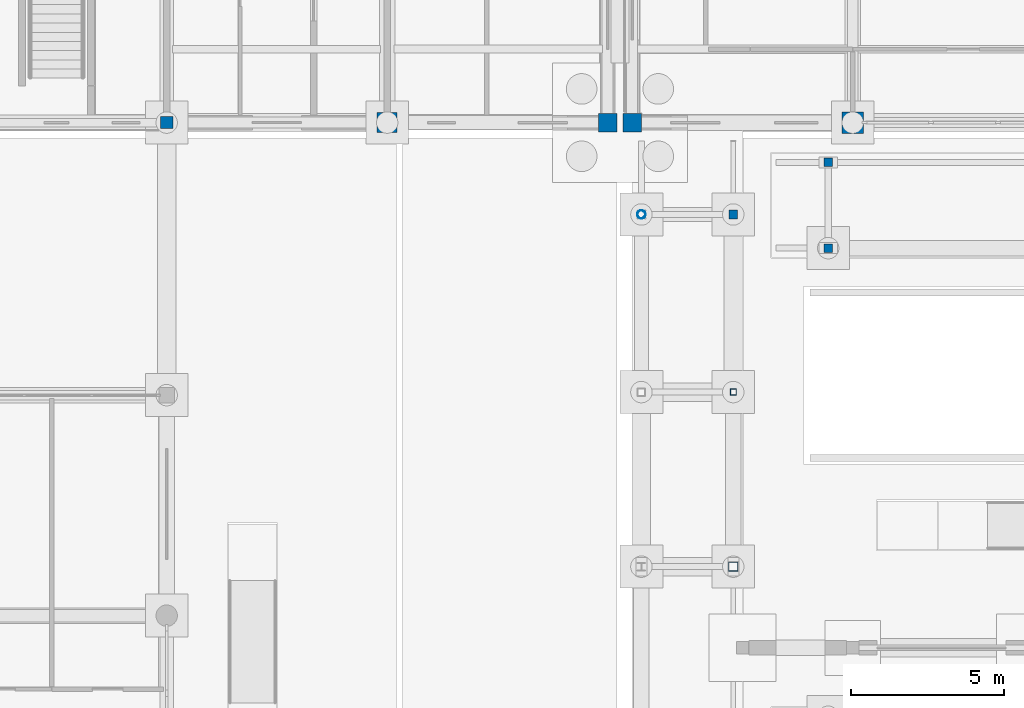
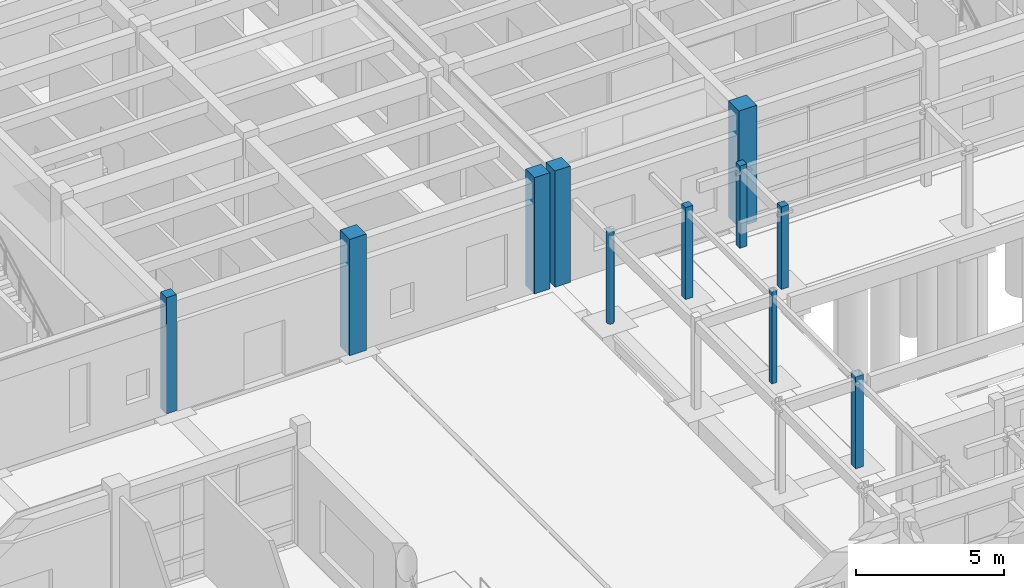
# One storey, part 18 of 143: 11 columns.
"""IFC4 building model written with IfcOpenShell, lengths in metres."""

from ifc_helpers import new_model, si_unit, direction, frame, origin, origin_2d, place, context, subcontext, project, spatial, rectangle, hollow_rectangle, hollow_circle, extrude, material, material_profile, profile_set, type_object, element, save


model = new_model("IFC4")

# Units and contexts
model_context = context("Model", 3, precision=1e-05, world=origin(), true_north=direction((0.0, 1.0)))
body_context = subcontext(model_context, "Body", "Model", "MODEL_VIEW")
ifc_project = project(units=[si_unit("LENGTHUNIT", "METRE"), si_unit("AREAUNIT", "SQUARE_METRE"), si_unit("VOLUMEUNIT", "CUBIC_METRE"), si_unit("PLANEANGLEUNIT", "RADIAN"), si_unit("MASSUNIT", "GRAM", prefix="KILO")], contexts=[model_context])

# Site, building, storey
site_placement = place(None, origin())
site = spatial("IfcSite", under=ifc_project, at=site_placement, CompositionType="ELEMENT")
building_placement = place(site_placement, origin())
building = spatial("IfcBuilding", under=site, at=building_placement, Name="Steenspoor Specialist Clinic", CompositionType="ELEMENT")
storey_placement = place(building_placement, origin())
storey = spatial("IfcBuildingStorey", under=building, at=storey_placement, Name="L00", CompositionType="ELEMENT", Elevation=0.0)

# Columns
ifc_material_1 = material(Name="Glulam GL28h", Category="wood")
ifc_material_profile_1 = material_profile(ifc_material_1, rectangle(XDim=0.280029296875, YDim=0.280029296875, at=origin_2d()), Name="GL28H-280X280")
ifc_profile_set_1 = profile_set([ifc_material_profile_1], Name="Glulam GL28h")
column_type_1 = type_object("IfcColumnType", Name="COL-GL-280", PredefinedType="COLUMN", material=ifc_profile_set_1)
column_1_placement = place(storey_placement, frame((55.699951171875, 62.14990234375, 0.0), z_axis=(0.0, 0.0, 1.0), x_axis=(1.0, 0.0, 0.0)))
element("IfcColumn", 1, at=column_1_placement, inside=storey, type_object=column_type_1, Name="Walkway Colonnade Post COL-L00-0851", PredefinedType="COLUMN", context=body_context, shape_type="SweptSolid", body=[
    extrude(rectangle(XDim=0.280029296875, YDim=0.280029296875, at=origin_2d()), origin(), (0.0, 0.0, 1.0), 3.800048828125),
])
for number, where, z_axis, x_axis, name in (
    (2, (58.800048828125, 61.050048828125, 0.0), (0.0, 0.0, 1.0), (1.0, 0.0, 0.0), "Walkway Colonnade Post COL-L00-0864"),
    (3, (58.800048828125, 63.85009765625, 0.0), (0.0, 0.0, 1.0), (1.0, 0.0, 0.0), "Walkway Colonnade Post COL-L00-0865"),
):
    element("IfcColumn", number, at=place(storey_placement, frame(where, z_axis=z_axis, x_axis=x_axis)), inside=storey, type_object=column_type_1, Name=name, PredefinedType="COLUMN", context=body_context, shape_type="SweptSolid", body=[
        extrude(rectangle(XDim=0.280029296875, YDim=0.280029296875, at=origin_2d()), origin(), (0.0, 0.0, 1.0), 3.39990234375),
    ])
ifc_material_2 = material(Name="Concrete C40/50", Category="concrete")
ifc_material_profile_2 = material_profile(ifc_material_2, rectangle(XDim=0.39990234375, YDim=0.39990234375, at=origin_2d()), Name="RC-COL-400X400")
ifc_profile_set_2 = profile_set([ifc_material_profile_2], Name="Concrete C40/50")
column_type_2 = type_object("IfcColumnType", Name="COL-RC-400", PredefinedType="COLUMN", material=ifc_profile_set_2)
column_2_placement = place(storey_placement, frame((37.199951171875, 65.14990234375, 0.0), z_axis=(0.0, 0.0, 1.0), x_axis=(1.0, 0.0, 0.0)))
element("IfcColumn", 4, at=column_2_placement, inside=storey, type_object=column_type_2, Name="Column COL-L00-0562", PredefinedType="COLUMN", context=body_context, shape_type="SweptSolid", body=[
    extrude(rectangle(XDim=0.39990234375, YDim=0.39990234375, at=origin_2d()), origin(), (0.0, 0.0, 1.0), 4.800048828125),
])
ifc_material_profile_3 = material_profile(ifc_material_2, rectangle(XDim=0.60009765625, YDim=0.60009765625, at=origin_2d()), Name="RC-COL-600X600")
ifc_profile_set_3 = profile_set([ifc_material_profile_3], Name="Concrete C40/50")
column_type_3 = type_object("IfcColumnType", Name="COL-RC-600", PredefinedType="COLUMN", material=ifc_profile_set_3)
for number, where, z_axis, x_axis, name in (
    (5, (52.39990234375, 65.14990234375, 0.0), (0.0, 0.0, 1.0), (1.0, 0.0, 0.0), "Column COL-L00-0180"),
    (6, (51.60009765625, 65.14990234375, 0.0), (0.0, 0.0, 1.0), (1.0, 0.0, 0.0), "Column COL-L00-0616"),
):
    element("IfcColumn", number, at=place(storey_placement, frame(where, z_axis=z_axis, x_axis=x_axis)), inside=storey, type_object=column_type_3, Name=name, PredefinedType="COLUMN", context=body_context, shape_type="SweptSolid", body=[
        extrude(rectangle(XDim=0.60009765625, YDim=0.60009765625, at=origin_2d()), origin(), (0.0, 0.0, 1.0), 4.800048828125),
    ])
ifc_material_profile_4 = material_profile(ifc_material_2, rectangle(XDim=0.64990234375, YDim=0.64990234375, at=origin_2d()), Name="RC-COL-650X650")
ifc_profile_set_4 = profile_set([ifc_material_profile_4], Name="Concrete C40/50")
column_type_4 = type_object("IfcColumnType", Name="COL-RC-650", PredefinedType="COLUMN", material=ifc_profile_set_4)
column_3_placement = place(storey_placement, frame((44.39990234375, 65.14990234375, 0.0), z_axis=(0.0, 0.0, 1.0), x_axis=(1.0, 0.0, 0.0)))
element("IfcColumn", 7, at=column_3_placement, inside=storey, type_object=column_type_4, Name="Column COL-L00-0589", PredefinedType="COLUMN", context=body_context, shape_type="SweptSolid", body=[
    extrude(rectangle(XDim=0.64990234375, YDim=0.64990234375, at=origin_2d()), origin(), (0.0, 0.0, 1.0), 4.800048828125),
])
ifc_material_profile_5 = material_profile(ifc_material_2, rectangle(XDim=0.699951171875, YDim=0.699951171875, at=origin_2d()), Name="RC-COL-700X700")
ifc_profile_set_5 = profile_set([ifc_material_profile_5], Name="Concrete C40/50")
column_type_5 = type_object("IfcColumnType", Name="COL-RC-700", PredefinedType="COLUMN", material=ifc_profile_set_5)
column_4_placement = place(storey_placement, frame((59.60009765625, 65.14990234375, 0.0), z_axis=(0.0, 0.0, 1.0), x_axis=(1.0, 0.0, 0.0)))
element("IfcColumn", 8, at=column_4_placement, inside=storey, type_object=column_type_5, Name="Column COL-L00-0207", PredefinedType="COLUMN", context=body_context, shape_type="SweptSolid", body=[
    extrude(rectangle(XDim=0.699951171875, YDim=0.699951171875, at=origin_2d()), origin(), (0.0, 0.0, 1.0), 4.800048828125),
])
ifc_material_3 = material(Name="Steel A500 Grade C", Category="steel")
ifc_material_profile_6 = material_profile(ifc_material_3, hollow_circle(Radius=0.136474609375, WallThickness=0.00927734375, at=origin_2d()), Name="CHS273X9.3")
ifc_profile_set_6 = profile_set([ifc_material_profile_6], Name="Steel A500 Grade C")
column_type_6 = type_object("IfcColumnType", Name="COL-ST-CHS273", PredefinedType="COLUMN", material=ifc_profile_set_6)
column_5_placement = place(storey_placement, frame((52.699951171875, 62.14990234375, 0.0), z_axis=(0.0, 0.0, 1.0), x_axis=(1.0, 0.0, 0.0)))
element("IfcColumn", 9, at=column_5_placement, inside=storey, type_object=column_type_6, Name="Walkway Colonnade Post COL-L00-0850", PredefinedType="COLUMN", context=body_context, shape_type="SweptSolid", body=[
    extrude(hollow_circle(Radius=0.136474609375, WallThickness=0.00927734375, at=origin_2d()), origin(), (0.0, 0.0, 1.0), 3.800048828125),
])
ifc_material_profile_7 = material_profile(ifc_material_3, hollow_rectangle(XDim=0.203125, YDim=0.203125, WallThickness=0.01171875, at=origin_2d()), Name="HSS203X203X12.7")
ifc_profile_set_7 = profile_set([ifc_material_profile_7], Name="Steel A500 Grade C")
column_type_7 = type_object("IfcColumnType", Name="COL-ST-HSS203", PredefinedType="COLUMN", material=ifc_profile_set_7)
column_6_placement = place(storey_placement, frame((55.699951171875, 56.35009765625, 0.0), z_axis=(0.0, 0.0, 1.0), x_axis=(1.0, 0.0, 0.0)))
element("IfcColumn", 10, at=column_6_placement, inside=storey, type_object=column_type_7, Name="Walkway Colonnade Post COL-L00-0849", PredefinedType="COLUMN", context=body_context, shape_type="SweptSolid", body=[
    extrude(hollow_rectangle(XDim=0.203125, YDim=0.203125, WallThickness=0.01171875, at=origin_2d()), origin(), (0.0, 0.0, 1.0), 3.800048828125),
])
ifc_material_profile_8 = material_profile(ifc_material_3, hollow_rectangle(XDim=0.3046875, YDim=0.3046875, WallThickness=0.01171875, at=origin_2d()), Name="HSS305X305X12.7")
ifc_profile_set_8 = profile_set([ifc_material_profile_8], Name="Steel A500 Grade C")
column_type_8 = type_object("IfcColumnType", Name="COL-ST-HSS305", PredefinedType="COLUMN", material=ifc_profile_set_8)
column_7_placement = place(storey_placement, frame((55.699951171875, 50.64990234375, 0.0), z_axis=(0.0, 0.0, 1.0), x_axis=(1.0, 0.0, 0.0)))
element("IfcColumn", 11, at=column_7_placement, inside=storey, type_object=column_type_8, Name="Walkway Colonnade Post COL-L00-0847", PredefinedType="COLUMN", context=body_context, shape_type="SweptSolid", body=[
    extrude(hollow_rectangle(XDim=0.3046875, YDim=0.3046875, WallThickness=0.01171875, at=origin_2d()), origin(), (0.0, 0.0, 1.0), 3.800048828125),
])

save(model, "model.ifc")
